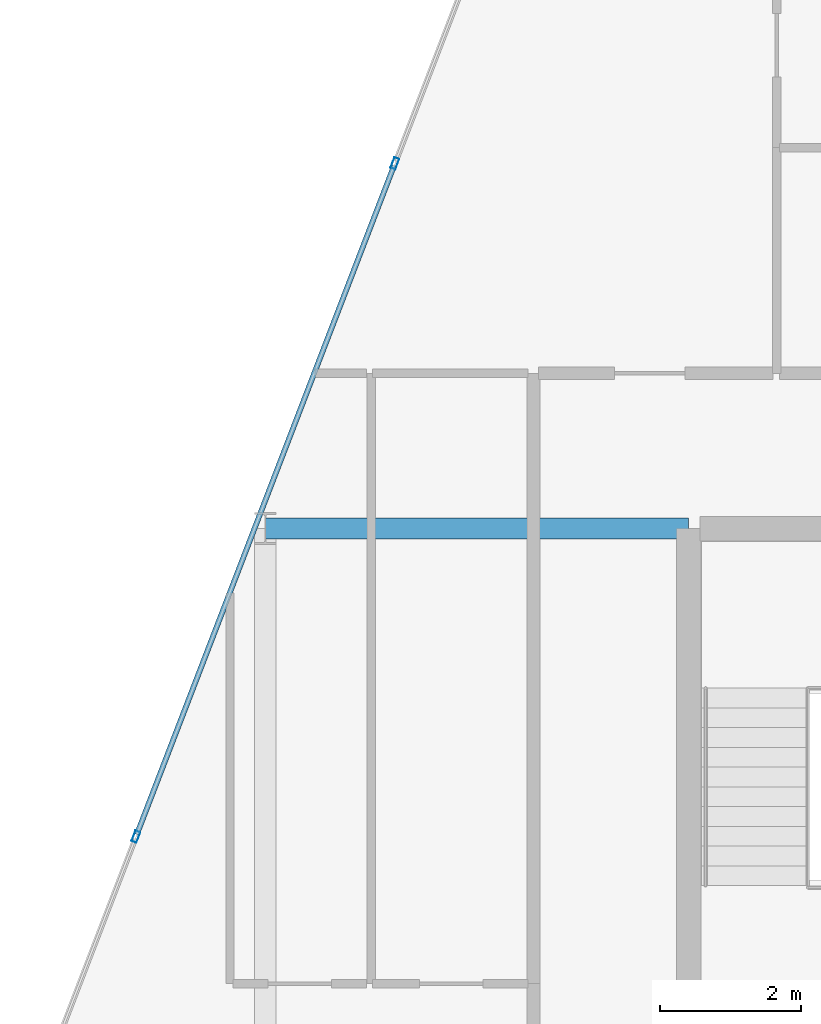
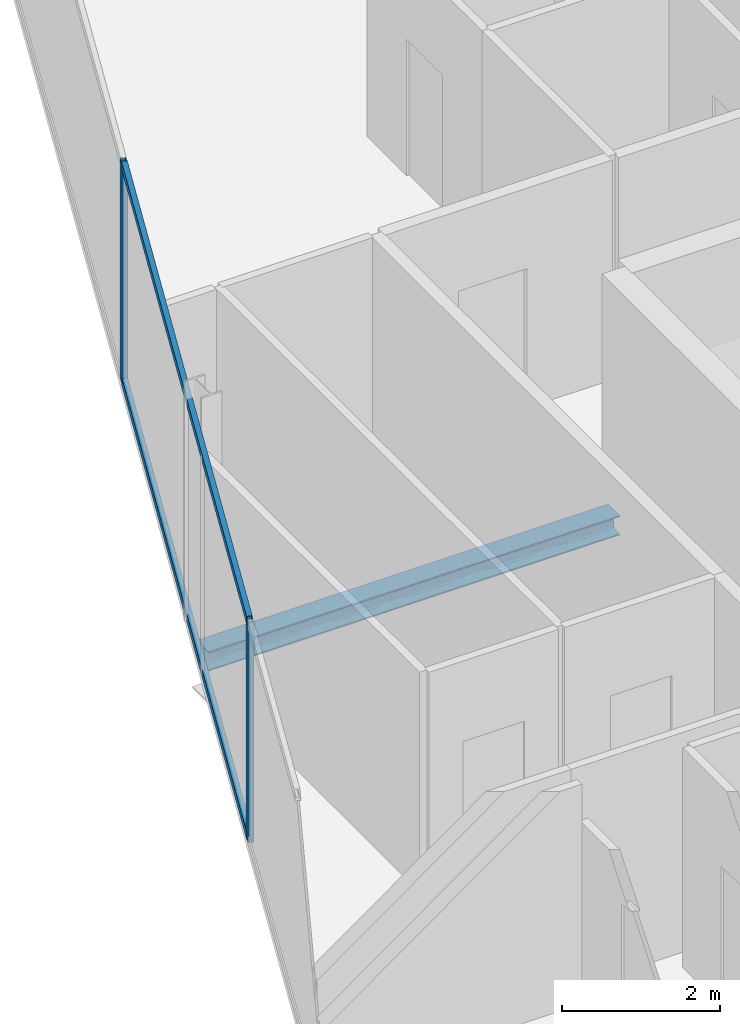
# One storey, part 16 of 29: 4 members, 1 beam, 1 element without a shape of its own.
"""IFC4 building model written with IfcOpenShell, lengths in metres."""

from ifc_helpers import new_model, si_unit, direction, frame, origin, origin_2d, place, context, subcontext, project, spatial, hollow_rectangle, i_section, extrude, material, layer, layer_set, material_profile, profile_set, type_object, element, aggregate, save


model = new_model("IFC4")

# Units and contexts
model_context = context("Model", 3, precision=1e-05, world=origin(), true_north=direction((0.0, 1.0)))
body_context = subcontext(model_context, "Body", "Model", "MODEL_VIEW")
ifc_project = project(units=[si_unit("LENGTHUNIT", "METRE"), si_unit("AREAUNIT", "SQUARE_METRE"), si_unit("VOLUMEUNIT", "CUBIC_METRE"), si_unit("PLANEANGLEUNIT", "RADIAN"), si_unit("MASSUNIT", "GRAM", prefix="KILO")], contexts=[model_context])

# Site, building, storey
site_placement = place(None, origin())
site = spatial("IfcSite", under=ifc_project, at=site_placement, CompositionType="ELEMENT")
building_placement = place(site_placement, origin())
building = spatial("IfcBuilding", under=site, at=building_placement, Name="Keshet Zoharim Tower", CompositionType="ELEMENT")
storey_placement = place(building_placement, frame((0.0, 0.0, 169.10009765625)))
storey = spatial("IfcBuildingStorey", under=building, at=storey_placement, Name="L41", CompositionType="ELEMENT", Elevation=169.10009765625)

# Beam
ifc_material_1 = material(Name="Steel S355", Category="steel")
ifc_material_profile_1 = material_profile(ifc_material_1, i_section(OverallWidth=0.300048828125, OverallDepth=0.300048828125, WebThickness=0.010986328125, FlangeThickness=0.01904296875, FilletRadius=0.027099609375, at=origin_2d()), Name="HEB300")
ifc_profile_set_1 = profile_set([ifc_material_profile_1], Name="Steel S355")
beam_type = type_object("IfcBeamType", Name="BM-PRI-HB300", PredefinedType="BEAM", material=ifc_profile_set_1)
beam_placement = place(storey_placement, frame((9.0, 37.89990234375, -0.460205078125), z_axis=(1.0, 0.0, 0.0), x_axis=(0.0, 1.0, 0.0)))
element("IfcBeam", 1, at=beam_placement, inside=storey, type_object=beam_type, Name="L41 Primary Girder X-017", PredefinedType="BEAM", context=body_context, shape_type="SweptSolid", body=[
    extrude(i_section(OverallWidth=0.300048828125, OverallDepth=0.300048828125, WebThickness=0.010986328125, FlangeThickness=0.01904296875, FilletRadius=0.027099609375, at=origin_2d()), origin(), (0.0, 0.0, 1.0), 6.0),
])

# Curtain wall, members
ifc_material_2 = material(Name="Aluminium 6063-T6", Category="aluminium")
ifc_layer = layer(ifc_material_2, 0.139892578125)
ifc_layer_set = layer_set([ifc_layer], Name="Aluminium 6063-T6")
curtain_wall_type = type_object("IfcCurtainWallType", Name="CW-SYS-05", PredefinedType="NOTDEFINED", material=ifc_layer_set)
curtain_wall_placement = place(storey_placement, origin())
curtain_wall = element("IfcCurtainWall", 2, at=curtain_wall_placement, inside=storey, type_object=curtain_wall_type, Name="L41 Unitised Curtain Wall 13", PredefinedType="NOTDEFINED")
ifc_material_profile_2 = material_profile(ifc_material_2, hollow_rectangle(XDim=0.074951171875, YDim=0.159912109375, WallThickness=0.00390625, at=origin_2d()), Name="MUL-75x160")
ifc_profile_set_2 = profile_set([ifc_material_profile_2], Name="Aluminium 6063-T6")
member_type_1 = type_object("IfcMemberType", Name="CWM-M15", PredefinedType="MULLION", material=ifc_profile_set_2)
member_1_placement = place(storey_placement, frame((7.1669921875, 33.53466796875, 0.0), z_axis=(0.0, 0.0, 1.0), x_axis=(-0.933341404361, 0.358990003907, 0.0)))
member_1 = element("IfcMember", 3, at=member_1_placement, type_object=member_type_1, Name="CW-05 mullion 2", PredefinedType="MULLION", context=body_context, shape_type="SweptSolid", body=[
    extrude(hollow_rectangle(XDim=0.074951171875, YDim=0.159912109375, WallThickness=0.00390625, at=origin_2d()), origin(), (0.0, 0.0, 1.0), 3.389892578125),
])
member_2_placement = place(storey_placement, frame((10.8369140625, 43.076416015625, 0.0), z_axis=(0.0, 0.0, 1.0), x_axis=(-0.933341404361, 0.358990003907, 0.0)))
member_2 = element("IfcMember", 4, at=member_2_placement, type_object=member_type_1, Name="CW-05 mullion 3", PredefinedType="MULLION", context=body_context, shape_type="SweptSolid", body=[
    extrude(hollow_rectangle(XDim=0.074951171875, YDim=0.159912109375, WallThickness=0.00390625, at=origin_2d()), origin(), (0.0, 0.0, 1.0), 3.389892578125),
])
ifc_material_profile_3 = material_profile(ifc_material_2, hollow_rectangle(XDim=0.074951171875, YDim=0.1201171875, WallThickness=0.00390625, at=origin_2d()), Name="TRN-75x120")
ifc_profile_set_3 = profile_set([ifc_material_profile_3], Name="Aluminium 6063-T6")
member_type_2 = type_object("IfcMemberType", Name="CWT-T12", PredefinedType="USERDEFINED", material=ifc_profile_set_3)
member_3_placement = place(storey_placement, frame((7.179443359375, 33.5673828125, 0.034912109375), z_axis=(0.359003248899, 0.933336309848, 0.0), x_axis=(-0.933336309848, 0.359003248899, 0.0)))
member_3 = element("IfcMember", 5, at=member_3_placement, type_object=member_type_2, Name="CW-05 transom 2.1", ObjectType="TRANSOM", PredefinedType="USERDEFINED", context=body_context, shape_type="SweptSolid", body=[
    extrude(hollow_rectangle(XDim=0.074951171875, YDim=0.1201171875, WallThickness=0.00390625, at=origin_2d()), origin(), (0.0, 0.0, 1.0), 10.153076171875),
])
member_4_placement = place(storey_placement, frame((7.179443359375, 33.5673828125, 3.35498046875), z_axis=(0.359003248899, 0.933336309848, 0.0), x_axis=(-0.933336309848, 0.359003248899, 0.0)))
member_4 = element("IfcMember", 6, at=member_4_placement, type_object=member_type_2, Name="CW-05 transom 2.2", ObjectType="TRANSOM", PredefinedType="USERDEFINED", context=body_context, shape_type="SweptSolid", body=[
    extrude(hollow_rectangle(XDim=0.074951171875, YDim=0.1201171875, WallThickness=0.00390625, at=origin_2d()), origin(), (0.0, 0.0, 1.0), 10.153076171875),
])
aggregate(curtain_wall, [member_1, member_2, member_3, member_4])

save(model, "model.ifc")
